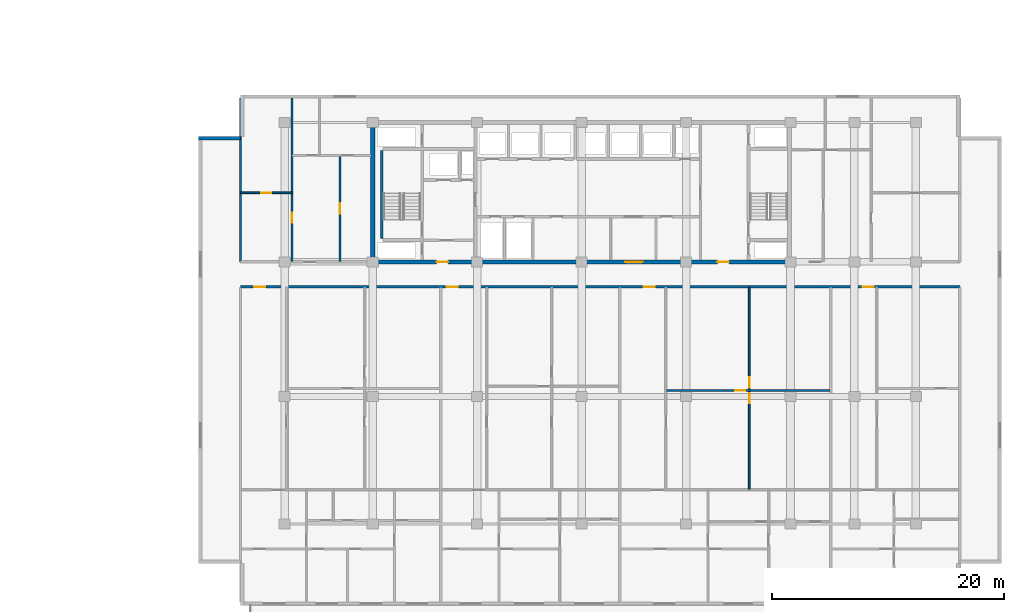
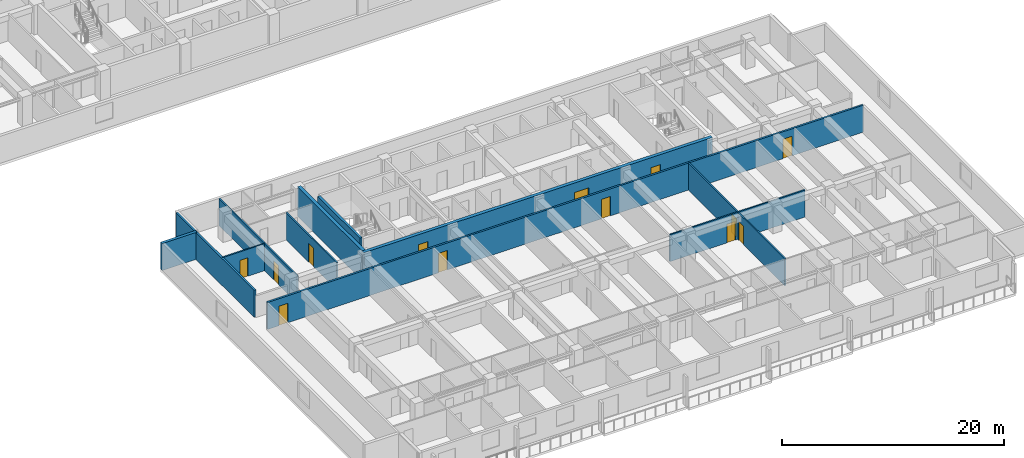
# One storey, part 6 of 24: 13 doors, 11 walls, 13 openings.
"""IFC4 building model written with IfcOpenShell, lengths in metres."""

import ifcopenshell
import ifcopenshell.guid

model = None  # the IFC model being written
_history = None  # IfcOwnerHistory: only IFC2X3 demands one
_inside = {}  # id of a spatial element -> (the spatial element, [elements in it])
_under = {}  # id of a project, library or spatial element -> (it, [spatial elements below it])
_declared = {}  # id of a project -> (the project, [libraries it declares])
_typed = {}  # id of a type object -> (the type object, [elements of that type])
_made_of = {}  # id of a material, layer set ... -> (it, [elements and type objects made of it])


def new_model(schema):
    """Start an empty IFC model of exactly this schema.

    Asked for "IFC4X3", IfcOpenShell would pick the latest addendum, in which some entities
    have other attributes; the version numbers below select the first issue.
    IFC2X3 requires an IfcOwnerHistory on every rooted entity: one is made here for all.
    """
    global model, _history
    if schema == "IFC4X3":
        model = ifcopenshell.file(schema_version=(4, 3, 0, 0))
    else:
        model = ifcopenshell.file(schema=schema)
    _inside.clear()
    _under.clear()
    _declared.clear()
    _typed.clear()
    _made_of.clear()
    _history = None
    if model.schema == "IFC2X3":
        org = make("IfcOrganization", Name="unknown")
        user = make(
            "IfcPersonAndOrganization",
            ThePerson=make("IfcPerson", FamilyName="unknown"),
            TheOrganization=org,
        )
        app = make(
            "IfcApplication",
            ApplicationDeveloper=org,
            Version="unknown",
            ApplicationFullName="unknown",
            ApplicationIdentifier="unknown",
        )
        _history = make(
            "IfcOwnerHistory",
            OwningUser=user,
            OwningApplication=app,
            ChangeAction="ADDED",
            CreationDate=0,
        )
    return model


def make(cls, **values):
    """One entity of the class cls with the attributes given. An attribute that is None is left unset."""
    return model.create_entity(
        cls, **{name: value for name, value in values.items() if value is not None}
    )


def rooted(cls, **values):
    """An entity with a GlobalId (a new one), such as an element, a storey or a relation."""
    return make(cls, GlobalId=ifcopenshell.guid.new(), OwnerHistory=_history, **values)


def si_unit(unit_type, name, prefix=None):
    """IfcSIUnit, for example si_unit("LENGTHUNIT", "METRE", prefix="MILLI")."""
    return make("IfcSIUnit", UnitType=unit_type, Prefix=prefix, Name=name)


def assignment(units):
    """IfcUnitAssignment: the units of a project."""
    return None if units is None else make("IfcUnitAssignment", Units=units)


def point(xyz):
    """IfcCartesianPoint."""
    return None if xyz is None else make("IfcCartesianPoint", Coordinates=xyz)


def direction(xyz):
    """IfcDirection."""
    return None if xyz is None else make("IfcDirection", DirectionRatios=xyz)


def frame(location, z_axis=None, x_axis=None):
    """IfcAxis2Placement3D, a coordinate frame: its origin and axes. An axis left out is left unset."""
    return make(
        "IfcAxis2Placement3D",
        Location=point(location),
        Axis=direction(z_axis),
        RefDirection=direction(x_axis),
    )


def frame_2d(location, x_axis=None):
    """IfcAxis2Placement2D, a coordinate frame in the plane: its origin and x axis."""
    return make(
        "IfcAxis2Placement2D", Location=point(location), RefDirection=direction(x_axis)
    )


def origin():
    """The frame at (0, 0, 0) with its axes left unset."""
    return frame((0.0, 0.0, 0.0))


def place(relative_to, where):
    """IfcLocalPlacement: puts the frame where relative to a parent placement (None: the world)."""
    return make(
        "IfcLocalPlacement", PlacementRelTo=relative_to, RelativePlacement=where
    )


def context(
    kind, dimensions, precision=None, world=None, true_north=None, identifier=None
):
    """IfcGeometricRepresentationContext, for example the 3D "Model" context."""
    return make(
        "IfcGeometricRepresentationContext",
        ContextIdentifier=identifier,
        ContextType=kind,
        CoordinateSpaceDimension=dimensions,
        Precision=precision,
        WorldCoordinateSystem=world,
        TrueNorth=true_north,
    )


def subcontext(parent, identifier, kind, view, scale=None):
    """IfcGeometricRepresentationSubContext, for example "Body" below "Model"."""
    return make(
        "IfcGeometricRepresentationSubContext",
        ContextIdentifier=identifier,
        ContextType=kind,
        ParentContext=parent,
        TargetScale=scale,
        TargetView=view,
    )


def project(units=None, contexts=None):
    """IfcProject with its units and contexts."""
    return rooted(
        "IfcProject",
        Name="project",
        RepresentationContexts=contexts,
        UnitsInContext=assignment(units),
    )


def spatial(cls, under=None, at=None, **own):
    """A site, building, storey or space (cls), placed at a placement, below another one or the project."""
    s = rooted(cls, ObjectPlacement=at, **own)
    if under is not None:
        _under.setdefault(under.id(), (under, []))[1].append(s)
    return s


def profile(cls, at=None, kind="AREA", **sizes):
    """A parametric profile (cls). Its sizes go by their IFC names, for example OverallWidth=200.0."""
    return make(cls, ProfileType=kind, Position=at, **sizes)


def rectangle(**sizes):
    """IfcRectangleProfileDef."""
    return profile("IfcRectangleProfileDef", **sizes)


def extrude(swept, where, along, depth):
    """IfcExtrudedAreaSolid: the profile swept, set in the frame where, extruded along a direction by depth."""
    return make(
        "IfcExtrudedAreaSolid",
        SweptArea=swept,
        Position=where,
        ExtrudedDirection=direction(along),
        Depth=depth,
    )


def shape(context_of_items, identifier, shape_type, items):
    """IfcShapeRepresentation: the items that make up one representation, for example the "Body"."""
    return make(
        "IfcShapeRepresentation",
        ContextOfItems=context_of_items,
        RepresentationIdentifier=identifier,
        RepresentationType=shape_type,
        Items=items,
    )


def material(Name=None, Category=None):
    """IfcMaterial."""
    return make("IfcMaterial", Name=Name, Category=Category)


def layer(
    of_material, thickness, ventilated=None, Name=None, Category=None, Priority=None
):
    """IfcMaterialLayer: one layer of a wall or slab, of a material (None: an air gap)."""
    return make(
        "IfcMaterialLayer",
        Material=of_material,
        LayerThickness=thickness,
        IsVentilated=ventilated,
        Name=Name,
        Category=Category,
        Priority=Priority,
    )


def layer_set(layers, Name=None):
    """IfcMaterialLayerSet."""
    return make("IfcMaterialLayerSet", MaterialLayers=layers, LayerSetName=Name)


def made_of(thing, what):
    """Note that an element or type object is made of a material, layer set ...; save() writes the relation."""
    if what is not None:
        _made_of.setdefault(what.id(), (what, []))[1].append(thing)
    return thing


def type_object(cls, material=None, **own):
    """A type object (cls), such as IfcWallType, which elements share."""
    return made_of(rooted(cls, **own), material)


def element(
    cls,
    number,
    at=None,
    inside=None,
    cuts=None,
    type_object=None,
    material=None,
    context=None,
    identifier="Body",
    shape_type=None,
    held_by="IfcProductDefinitionShape",
    body=None,
    shapes=None,
    **own,
):
    """One element of the class cls, such as IfcWall. Its Tag is "e" and its number.

    at: its placement. inside: the storey or other place that contains it. cuts: it is an
    opening in that element (IfcRelVoidsElement). A single representation is given by context,
    identifier, shape_type and body (its items); several are given by shapes. held_by: the class
    of the entity that holds the representations. save() writes the other relations.
    """
    e = rooted(cls, Tag="e%d" % number, ObjectPlacement=at, **own)
    if body is not None:
        shapes = [shape(context, identifier, shape_type, body)]
    if shapes is not None:
        e.Representation = make(held_by, Representations=shapes)
    if inside is not None:
        _inside.setdefault(inside.id(), (inside, []))[1].append(e)
    if cuts is not None:
        rooted(
            "IfcRelVoidsElement", RelatingBuildingElement=cuts, RelatedOpeningElement=e
        )
    if type_object is not None:
        _typed.setdefault(type_object.id(), (type_object, []))[1].append(e)
    return made_of(e, material)


def fill(opening, filler):
    """IfcRelFillsElement: the door or window that sits in an opening."""
    return rooted(
        "IfcRelFillsElement",
        RelatingOpeningElement=opening,
        RelatedBuildingElement=filler,
    )


def aggregate(whole, parts):
    """IfcRelAggregates: a whole, such as a stair, and the parts it consists of."""
    return rooted("IfcRelAggregates", RelatingObject=whole, RelatedObjects=parts)


def save(model, path):
    """Write the relations noted so far, then the file.

    IfcRelAggregates (storeys below a building ...), IfcRelContainedInSpatialStructure (elements
    in a storey), IfcRelDefinesByType, IfcRelAssociatesMaterial and IfcRelDeclares: one each for
    every whole, place, type object, material and project.
    """
    for whole, parts in _under.values():
        aggregate(whole, parts)
    for where, things in _inside.values():
        rooted(
            "IfcRelContainedInSpatialStructure",
            RelatedElements=things,
            RelatingStructure=where,
        )
    for kind, things in _typed.values():
        rooted("IfcRelDefinesByType", RelatedObjects=things, RelatingType=kind)
    for what, things in _made_of.values():
        rooted("IfcRelAssociatesMaterial", RelatedObjects=things, RelatingMaterial=what)
    for by, libraries in _declared.values():
        rooted("IfcRelDeclares", RelatingContext=by, RelatedDefinitions=libraries)
    model.write(path)


model = new_model("IFC4")

# Units and contexts
model_context = context("Model", 3, precision=1e-05, world=origin(), true_north=direction((0.0, 1.0)))
body_context = subcontext(model_context, "Body", "Model", "MODEL_VIEW")
ifc_project = project(units=[si_unit("LENGTHUNIT", "METRE"), si_unit("AREAUNIT", "SQUARE_METRE"), si_unit("VOLUMEUNIT", "CUBIC_METRE"), si_unit("PLANEANGLEUNIT", "RADIAN"), si_unit("MASSUNIT", "GRAM", prefix="KILO")], contexts=[model_context])

# Site, building, storey
site_placement = place(None, origin())
site = spatial("IfcSite", under=ifc_project, at=site_placement, CompositionType="ELEMENT")
building_placement = place(site_placement, origin())
building = spatial("IfcBuilding", under=site, at=building_placement, Name="Korimba Cascade Residences", CompositionType="ELEMENT")
storey_placement = place(building_placement, frame((0.0, 0.0, 43.5)))
storey = spatial("IfcBuildingStorey", under=building, at=storey_placement, Name="L11", CompositionType="ELEMENT", Elevation=43.5)

# Walls
ifc_material_1 = material(Name="Precast concrete C40/50", Category="concrete")
ifc_layer_1 = layer(ifc_material_1, 0.300048828125)
ifc_layer_set_1 = layer_set([ifc_layer_1], Name="Precast concrete C40/50")
wall_type_1 = type_object("IfcWallType", Name="EW-STONE-300", PredefinedType="STANDARD", material=ifc_layer_set_1)
wall_1_placement = place(storey_placement, frame((70.699951171875, 29.050048828125, 0.0), z_axis=(0.0, 0.0, 1.0), x_axis=(-1.0, 0.0, 0.0)))
element("IfcWall", 1, at=wall_1_placement, inside=storey, type_object=wall_type_1, Name="L11 T2 Perimeter Stone Wall E08", PredefinedType="STANDARD", context=body_context, shape_type="SweptSolid", body=[
    extrude(rectangle(XDim=3.599853515625, YDim=0.300048828125, at=frame_2d((1.7998046875, 0.0))), origin(), (0.0, 0.0, 1.0), 2.969970703125),
])
ifc_material_2 = material(Name="Concrete C65/80", Category="concrete")
ifc_layer_2 = layer(ifc_material_2, 0.35009765625)
ifc_layer_set_2 = layer_set([ifc_layer_2], Name="Concrete C65/80")
wall_type_2 = type_object("IfcWallType", Name="WAL-CORE-350", PredefinedType="SHEAR", material=ifc_layer_set_2)
wall_2_placement = place(storey_placement, frame((82.10009765625, 18.574951171875, 0.0), z_axis=(0.0, 0.0, 1.0), x_axis=(0.0, 1.0, 0.0)))
element("IfcWall", 2, at=wall_2_placement, inside=storey, type_object=wall_type_2, Name="L11 Core Shear Wall CW-L11-T2-W", PredefinedType="SHEAR", context=body_context, shape_type="SweptSolid", body=[
    extrude(rectangle(XDim=11.650146484375, YDim=0.35009765625, at=frame_2d((5.8251953125, 0.0))), origin(), (0.0, 0.0, 1.0), 3.25),
])

# Wall, openings, doors
wall_3_placement = place(storey_placement, frame((81.925048828125, 18.39990234375, 0.0), z_axis=(0.0, 0.0, 1.0), x_axis=(1.0, 0.0, 0.0)))
wall_3 = element("IfcWall", 3, at=wall_3_placement, inside=storey, type_object=wall_type_2, Name="L11 Core Shear Wall CW-L11-T2-S", PredefinedType="SHEAR", context=body_context, shape_type="SweptSolid", body=[
    extrude(rectangle(XDim=36.264892578125, YDim=0.35009765625, at=frame_2d((18.13232421875, 0.0))), origin(), (0.0, 0.0, 1.0), 3.25),
])
opening_1_placement = place(wall_3_placement, frame((5.675048828125, 0.0, 0.0)))
opening_1 = element("IfcOpeningElement", 4, at=opening_1_placement, cuts=wall_3, Name="Opening D-FD5", PredefinedType="OPENING", context=body_context, shape_type="SweptSolid", body=[
    extrude(rectangle(XDim=1.0, YDim=2.14990234375, at=frame_2d((0.5, 1.074951171875))), frame((0.0, 0.18505859375, 0.0), z_axis=(0.0, -1.0, 0.0), x_axis=(1.0, 0.0, 0.0)), (0.0, 0.0, 1.0), 0.3701171875),
])
opening_2_placement = place(wall_3_placement, frame((21.925048828125, 0.0, 0.0)))
opening_2 = element("IfcOpeningElement", 5, at=opening_2_placement, cuts=wall_3, Name="Opening D-FD8", PredefinedType="OPENING", context=body_context, shape_type="SweptSolid", body=[
    extrude(rectangle(XDim=1.5, YDim=2.199951171875, at=frame_2d((0.75, 1.10009765625))), frame((0.0, 0.18505859375, 0.0), z_axis=(0.0, -1.0, 0.0), x_axis=(1.0, 0.0, 0.0)), (0.0, 0.0, 1.0), 0.3701171875),
])
opening_3_placement = place(wall_3_placement, frame((29.875, 0.0, 0.0)))
opening_3 = element("IfcOpeningElement", 6, at=opening_3_placement, cuts=wall_3, Name="Opening D-FD5", PredefinedType="OPENING", context=body_context, shape_type="SweptSolid", body=[
    extrude(rectangle(XDim=1.0, YDim=2.14990234375, at=frame_2d((0.5, 1.074951171875))), frame((0.0, 0.18505859375, 0.0), z_axis=(0.0, -1.0, 0.0), x_axis=(1.0, 0.0, 0.0)), (0.0, 0.0, 1.0), 0.3701171875),
])
ifc_material_3 = material(Name="Fire-Rated Acoustic Timber Vestibule Door", Category="wood")
door_type_1 = type_object("IfcDoorType", Name="DR-FD90-1000", OperationType="NOTDEFINED", PredefinedType="DOOR", material=ifc_material_3)
door_1_placement = place(opening_1_placement, origin())
door_1 = element("IfcDoor", 7, at=door_1_placement, inside=storey, type_object=door_type_1, Name="L11 T2 West Core Vestibule Fire Door", OperationType="SINGLE_SWING_LEFT", OverallHeight=2.14990234375, OverallWidth=1.0, PredefinedType="DOOR", context=body_context, shape_type="SweptSolid", body=[
    extrude(rectangle(XDim=1.0, YDim=2.14990234375, at=frame_2d((0.5, 1.074951171875))), frame((0.0, 0.02490234375, 0.0), z_axis=(0.0, -1.0, 0.0), x_axis=(1.0, 0.0, 0.0)), (0.0, 0.0, 1.0), 0.050048828125),
])
fill(opening_1, door_1)
door_2_placement = place(opening_3_placement, origin())
door_2 = element("IfcDoor", 8, at=door_2_placement, inside=storey, type_object=door_type_1, Name="L11 T2 East Stair Vestibule Fire Door", OperationType="SINGLE_SWING_RIGHT", OverallHeight=2.14990234375, OverallWidth=1.0, PredefinedType="DOOR", context=body_context, shape_type="SweptSolid", body=[
    extrude(rectangle(XDim=1.0, YDim=2.14990234375, at=frame_2d((0.5, 1.074951171875))), frame((0.0, 0.02490234375, 0.0), z_axis=(0.0, -1.0, 0.0), x_axis=(1.0, 0.0, 0.0)), (0.0, 0.0, 1.0), 0.050048828125),
])
fill(opening_3, door_2)
ifc_material_4 = material(Name="Fire-Rated Glazed Lift Lobby Double Door", Category="glass")
door_type_2 = type_object("IfcDoorType", Name="DR-FD90-1500", OperationType="NOTDEFINED", PredefinedType="DOOR", material=ifc_material_4)
door_3_placement = place(opening_2_placement, origin())
door_3 = element("IfcDoor", 9, at=door_3_placement, inside=storey, type_object=door_type_2, Name="L11 T2 Lift Lobby Fire Door", OperationType="DOUBLE_DOOR_SINGLE_SWING", OverallHeight=2.199951171875, OverallWidth=1.5, PredefinedType="DOOR", context=body_context, shape_type="SweptSolid", body=[
    extrude(rectangle(XDim=1.5, YDim=2.199951171875, at=frame_2d((0.75, 1.10009765625))), frame((0.0, 0.02490234375, 0.0), z_axis=(0.0, -1.0, 0.0), x_axis=(1.0, 0.0, 0.0)), (0.0, 0.0, 1.0), 0.050048828125),
])
fill(opening_2, door_3)

# Wall
ifc_layer_3 = layer(ifc_material_1, 0.199951171875)
ifc_layer_set_3 = layer_set([ifc_layer_3], Name="Precast concrete C40/50")
wall_type_3 = type_object("IfcWallType", Name="WAL-IT-200", PredefinedType="PARTITIONING", material=ifc_layer_set_3)
wall_4_placement = place(storey_placement, frame((70.699951171875, 18.39990234375, 0.0), z_axis=(0.0, 0.0, 1.0), x_axis=(0.0, 1.0, 0.0)))
element("IfcWall", 10, at=wall_4_placement, inside=storey, type_object=wall_type_3, Name="L11 Partition Wall WAL-L11-T2-FW-WL", PredefinedType="PARTITIONING", context=body_context, shape_type="SweptSolid", body=[
    extrude(rectangle(XDim=14.10009765625, YDim=0.199951171875, at=frame_2d((7.050048828125, 0.0))), origin(), (0.0, 0.0, 1.0), 2.969970703125),
])

# Wall, openings, doors
wall_5_placement = place(storey_placement, frame((70.699951171875, 16.25, 0.0), z_axis=(0.0, 0.0, 1.0), x_axis=(1.0, 0.0, 0.0)))
wall_5 = element("IfcWall", 11, at=wall_5_placement, inside=storey, type_object=wall_type_3, Name="L11 Partition Wall WAL-L11-T2-CORS", PredefinedType="PARTITIONING", context=body_context, shape_type="SweptSolid", body=[
    extrude(rectangle(XDim=62.0, YDim=0.199951171875, at=frame_2d((31.0, 0.0))), origin(), (0.0, 0.0, 1.0), 2.969970703125),
])
opening_4_placement = place(wall_5_placement, frame((1.18603515625, 0.0, 0.0)))
opening_4 = element("IfcOpeningElement", 12, at=opening_4_placement, cuts=wall_5, Name="Opening D-UN1", PredefinedType="OPENING", context=body_context, shape_type="SweptSolid", body=[
    extrude(rectangle(XDim=0.949951171875, YDim=2.14990234375, at=frame_2d((0.47509765625, 1.074951171875))), frame((0.0, 0.10986328125, 0.0), z_axis=(0.0, -1.0, 0.0), x_axis=(1.0, 0.0, 0.0)), (0.0, 0.0, 1.0), 0.219970703125),
])
opening_5_placement = place(wall_5_placement, frame((17.770751953125, 0.0, 0.0)))
opening_5 = element("IfcOpeningElement", 13, at=opening_5_placement, cuts=wall_5, Name="Opening D-UN1", PredefinedType="OPENING", context=body_context, shape_type="SweptSolid", body=[
    extrude(rectangle(XDim=0.949951171875, YDim=2.14990234375, at=frame_2d((0.47509765625, 1.074951171875))), frame((0.0, 0.10986328125, 0.0), z_axis=(0.0, -1.0, 0.0), x_axis=(1.0, 0.0, 0.0)), (0.0, 0.0, 1.0), 0.219970703125),
])
opening_6_placement = place(wall_5_placement, frame((34.73291015625, 0.0, 0.0)))
opening_6 = element("IfcOpeningElement", 14, at=opening_6_placement, cuts=wall_5, Name="Opening D-UN1", PredefinedType="OPENING", context=body_context, shape_type="SweptSolid", body=[
    extrude(rectangle(XDim=0.949951171875, YDim=2.14990234375, at=frame_2d((0.47509765625, 1.074951171875))), frame((0.0, 0.10986328125, 0.0), z_axis=(0.0, -1.0, 0.0), x_axis=(1.0, 0.0, 0.0)), (0.0, 0.0, 1.0), 0.219970703125),
])
opening_7_placement = place(wall_5_placement, frame((53.64013671875, 0.0, 0.0)))
opening_7 = element("IfcOpeningElement", 15, at=opening_7_placement, cuts=wall_5, Name="Opening D-UN1", PredefinedType="OPENING", context=body_context, shape_type="SweptSolid", body=[
    extrude(rectangle(XDim=0.949951171875, YDim=2.14990234375, at=frame_2d((0.47509765625, 1.074951171875))), frame((0.0, 0.10986328125, 0.0), z_axis=(0.0, -1.0, 0.0), x_axis=(1.0, 0.0, 0.0)), (0.0, 0.0, 1.0), 0.219970703125),
])
ifc_material_5 = material(Name="Fire-Rated Hardwood Apartment Entrance Door", Category="wood")
door_type_3 = type_object("IfcDoorType", Name="DR-FD60-950", OperationType="NOTDEFINED", PredefinedType="DOOR", material=ifc_material_5)
door_4_placement = place(opening_4_placement, origin())
door_4 = element("IfcDoor", 16, at=door_4_placement, inside=storey, type_object=door_type_3, Name="Unit L11-T2-U01 Entrance Door", OperationType="SINGLE_SWING_RIGHT", OverallHeight=2.14990234375, OverallWidth=0.949951171875, PredefinedType="DOOR", context=body_context, shape_type="SweptSolid", body=[
    extrude(rectangle(XDim=0.949951171875, YDim=2.14990234375, at=frame_2d((0.47509765625, 1.074951171875))), frame((0.0, 0.02490234375, 0.0), z_axis=(0.0, -1.0, 0.0), x_axis=(1.0, 0.0, 0.0)), (0.0, 0.0, 1.0), 0.050048828125),
])
fill(opening_4, door_4)
door_5_placement = place(opening_5_placement, origin())
door_5 = element("IfcDoor", 17, at=door_5_placement, inside=storey, type_object=door_type_3, Name="Unit L11-T2-U02 Entrance Door", OperationType="SINGLE_SWING_LEFT", OverallHeight=2.14990234375, OverallWidth=0.949951171875, PredefinedType="DOOR", context=body_context, shape_type="SweptSolid", body=[
    extrude(rectangle(XDim=0.949951171875, YDim=2.14990234375, at=frame_2d((0.47509765625, 1.074951171875))), frame((0.0, 0.02490234375, 0.0), z_axis=(0.0, -1.0, 0.0), x_axis=(1.0, 0.0, 0.0)), (0.0, 0.0, 1.0), 0.050048828125),
])
fill(opening_5, door_5)
door_6_placement = place(opening_6_placement, origin())
door_6 = element("IfcDoor", 18, at=door_6_placement, inside=storey, type_object=door_type_3, Name="Unit L11-T2-U03 Entrance Door", OperationType="SINGLE_SWING_RIGHT", OverallHeight=2.14990234375, OverallWidth=0.949951171875, PredefinedType="DOOR", context=body_context, shape_type="SweptSolid", body=[
    extrude(rectangle(XDim=0.949951171875, YDim=2.14990234375, at=frame_2d((0.47509765625, 1.074951171875))), frame((0.0, 0.02490234375, 0.0), z_axis=(0.0, -1.0, 0.0), x_axis=(1.0, 0.0, 0.0)), (0.0, 0.0, 1.0), 0.050048828125),
])
fill(opening_6, door_6)
door_7_placement = place(opening_7_placement, origin())
door_7 = element("IfcDoor", 19, at=door_7_placement, inside=storey, type_object=door_type_3, Name="Unit L11-T2-U04 Entrance Door", OperationType="SINGLE_SWING_LEFT", OverallHeight=2.14990234375, OverallWidth=0.949951171875, PredefinedType="DOOR", context=body_context, shape_type="SweptSolid", body=[
    extrude(rectangle(XDim=0.949951171875, YDim=2.14990234375, at=frame_2d((0.47509765625, 1.074951171875))), frame((0.0, 0.02490234375, 0.0), z_axis=(0.0, -1.0, 0.0), x_axis=(1.0, 0.0, 0.0)), (0.0, 0.0, 1.0), 0.050048828125),
])
fill(opening_7, door_7)

# Wall, opening, door
ifc_material_6 = material(Name="Insulated Acoustic Stud Partition", Category="gypsum")
ifc_layer_4 = layer(ifc_material_6, 0.14990234375)
ifc_layer_set_4 = layer_set([ifc_layer_4], Name="Insulated Acoustic Stud Partition")
wall_type_4 = type_object("IfcWallType", Name="WAL-PART-150", PredefinedType="PARTITIONING", material=ifc_layer_set_4)
wall_6_placement = place(storey_placement, frame((70.699951171875, 24.35009765625, 0.0), z_axis=(0.0, 0.0, 1.0), x_axis=(1.0, 0.0, 0.0)))
wall_6 = element("IfcWall", 20, at=wall_6_placement, inside=storey, type_object=wall_type_4, Name="L11 Partition Wall WAL-L11-T2-FW-STH", PredefinedType="PARTITIONING", context=body_context, shape_type="SweptSolid", body=[
    extrude(rectangle(XDim=4.449951171875, YDim=0.14990234375, at=frame_2d((2.22509765625, 0.0))), origin(), (0.0, 0.0, 1.0), 2.969970703125),
])
opening_8_placement = place(wall_6_placement, frame((1.804931640625, 0.0, 0.0)))
opening_8 = element("IfcOpeningElement", 21, at=opening_8_placement, cuts=wall_6, Name="Opening D-BT1", PredefinedType="OPENING", context=body_context, shape_type="SweptSolid", body=[
    extrude(rectangle(XDim=0.840087890625, YDim=2.0400390625, at=frame_2d((0.419921875, 1.02001953125))), frame((0.0, 0.0849609375, 0.0), z_axis=(0.0, -1.0, 0.0), x_axis=(1.0, 0.0, 0.0)), (0.0, 0.0, 1.0), 0.169921875),
])
ifc_material_7 = material(Name="Moisture-Resistant Bathroom Timber Door", Category="wood")
door_type_4 = type_object("IfcDoorType", Name="DR-INT-850", OperationType="NOTDEFINED", PredefinedType="DOOR", material=ifc_material_7)
door_8_placement = place(opening_8_placement, origin())
door_8 = element("IfcDoor", 22, at=door_8_placement, inside=storey, type_object=door_type_4, Name="L11-T2-FW Dressing Store Door", OperationType="SINGLE_SWING_RIGHT", OverallHeight=2.0400390625, OverallWidth=0.840087890625, PredefinedType="DOOR", context=body_context, shape_type="SweptSolid", body=[
    extrude(rectangle(XDim=0.840087890625, YDim=2.0400390625, at=frame_2d((0.419921875, 1.02001953125))), frame((0.0, 0.02490234375, 0.0), z_axis=(0.0, -1.0, 0.0), x_axis=(1.0, 0.0, 0.0)), (0.0, 0.0, 1.0), 0.050048828125),
])
fill(opening_8, door_8)

wall_7_placement = place(storey_placement, frame((75.14990234375, 18.449951171875, 0.0), z_axis=(0.0, 0.0, 1.0), x_axis=(0.0, 1.0, 0.0)))
wall_7 = element("IfcWall", 23, at=wall_7_placement, inside=storey, type_object=wall_type_4, Name="L11 Partition Wall WAL-L11-T2-FW-STV", PredefinedType="PARTITIONING", context=body_context, shape_type="SweptSolid", body=[
    extrude(rectangle(XDim=14.050048828125, YDim=0.14990234375, at=frame_2d((7.02490234375, 0.0))), origin(), (0.0, 0.0, 1.0), 2.969970703125),
])
opening_9_placement = place(wall_7_placement, frame((3.320068359375, 0.0, 0.0)))
opening_9 = element("IfcOpeningElement", 24, at=opening_9_placement, cuts=wall_7, Name="Opening D-IN2", PredefinedType="OPENING", context=body_context, shape_type="SweptSolid", body=[
    extrude(rectangle(XDim=0.8798828125, YDim=2.06005859375, at=frame_2d((0.43994140625, 1.030029296875))), frame((0.0, 0.0849609375, 0.0), z_axis=(0.0, -1.0, 0.0), x_axis=(1.0, 0.0, 0.0)), (0.0, 0.0, 1.0), 0.169921875),
])
ifc_material_8 = material(Name="Acoustic Timber Bedroom Door", Category="wood")
door_type_5 = type_object("IfcDoorType", Name="DR-INT-880", OperationType="NOTDEFINED", PredefinedType="DOOR", material=ifc_material_8)
door_9_placement = place(opening_9_placement, origin())
door_9 = element("IfcDoor", 25, at=door_9_placement, inside=storey, type_object=door_type_5, Name="L11-T2-FW Study Door", OperationType="SINGLE_SWING_LEFT", OverallHeight=2.06005859375, OverallWidth=0.8798828125, PredefinedType="DOOR", context=body_context, shape_type="SweptSolid", body=[
    extrude(rectangle(XDim=0.8798828125, YDim=2.06005859375, at=frame_2d((0.43994140625, 1.030029296875))), frame((0.0, 0.02490234375, 0.0), z_axis=(0.0, -1.0, 0.0), x_axis=(1.0, 0.0, 0.0)), (0.0, 0.0, 1.0), 0.050048828125),
])
fill(opening_9, door_9)

wall_8_placement = place(storey_placement, frame((79.27001953125, 18.449951171875, 0.0), z_axis=(0.0, 0.0, 1.0), x_axis=(0.0, 1.0, 0.0)))
wall_8 = element("IfcWall", 26, at=wall_8_placement, inside=storey, type_object=wall_type_4, Name="L11 Partition Wall WAL-L11-T2-FW-VS", PredefinedType="PARTITIONING", context=body_context, shape_type="SweptSolid", body=[
    extrude(rectangle(XDim=9.1201171875, YDim=0.14990234375, at=frame_2d((4.56005859375, 0.0))), origin(), (0.0, 0.0, 1.0), 2.969970703125),
])
opening_10_placement = place(wall_8_placement, frame((4.10009765625, 0.0, 0.0)))
opening_10 = element("IfcOpeningElement", 27, at=opening_10_placement, cuts=wall_8, Name="Opening D-IN1", PredefinedType="OPENING", context=body_context, shape_type="SweptSolid", body=[
    extrude(rectangle(XDim=0.919921875, YDim=2.080078125, at=frame_2d((0.4599609375, 1.0400390625))), frame((0.0, 0.0849609375, 0.0), z_axis=(0.0, -1.0, 0.0), x_axis=(1.0, 0.0, 0.0)), (0.0, 0.0, 1.0), 0.169921875),
])
ifc_material_9 = material(Name="Acoustic Timber Living Door", Category="wood")
door_type_6 = type_object("IfcDoorType", Name="DR-INT-920", OperationType="NOTDEFINED", PredefinedType="DOOR", material=ifc_material_9)
door_10_placement = place(opening_10_placement, origin())
door_10 = element("IfcDoor", 28, at=door_10_placement, inside=storey, type_object=door_type_6, Name="L11-T2-FW Living Door", OperationType="SINGLE_SWING_RIGHT", OverallHeight=2.080078125, OverallWidth=0.919921875, PredefinedType="DOOR", context=body_context, shape_type="SweptSolid", body=[
    extrude(rectangle(XDim=0.919921875, YDim=2.080078125, at=frame_2d((0.4599609375, 1.0400390625))), frame((0.0, 0.02490234375, 0.0), z_axis=(0.0, -1.0, 0.0), x_axis=(1.0, 0.0, 0.0)), (0.0, 0.0, 1.0), 0.050048828125),
])
fill(opening_10, door_10)

# Wall, openings, doors
wall_9_placement = place(storey_placement, frame((114.55419921875, -1.2099609375, 0.0), z_axis=(0.0, 0.0, 1.0), x_axis=(0.0, 1.0, 0.0)))
wall_9 = element("IfcWall", 29, at=wall_9_placement, inside=storey, type_object=wall_type_4, Name="L11 Partition Wall WAL-L11-T2-U03-FMV", PredefinedType="PARTITIONING", context=body_context, shape_type="SweptSolid", body=[
    extrude(rectangle(XDim=17.39990234375, YDim=0.14990234375, at=frame_2d((8.699951171875, 0.0))), origin(), (0.0, 0.0, 1.0), 2.969970703125),
])
opening_11_placement = place(wall_9_placement, frame((7.429931640625, 0.0, 0.0)))
opening_11 = element("IfcOpeningElement", 30, at=opening_11_placement, cuts=wall_9, Name="Opening D-BT1", PredefinedType="OPENING", context=body_context, shape_type="SweptSolid", body=[
    extrude(rectangle(XDim=0.840087890625, YDim=2.0400390625, at=frame_2d((0.419921875, 1.02001953125))), frame((0.0, 0.0849609375, 0.0), z_axis=(0.0, -1.0, 0.0), x_axis=(1.0, 0.0, 0.0)), (0.0, 0.0, 1.0), 0.169921875),
])
opening_12_placement = place(wall_9_placement, frame((8.77001953125, 0.0, 0.0)))
opening_12 = element("IfcOpeningElement", 31, at=opening_12_placement, cuts=wall_9, Name="Opening D-IN2", PredefinedType="OPENING", context=body_context, shape_type="SweptSolid", body=[
    extrude(rectangle(XDim=0.8798828125, YDim=2.06005859375, at=frame_2d((0.43994140625, 1.030029296875))), frame((0.0, 0.0849609375, 0.0), z_axis=(0.0, -1.0, 0.0), x_axis=(1.0, 0.0, 0.0)), (0.0, 0.0, 1.0), 0.169921875),
])
door_11_placement = place(opening_11_placement, origin())
door_11 = element("IfcDoor", 32, at=door_11_placement, inside=storey, type_object=door_type_4, Name="L11-T2-U03 Wardrobe Door", OperationType="SINGLE_SWING_RIGHT", OverallHeight=2.0400390625, OverallWidth=0.840087890625, PredefinedType="DOOR", context=body_context, shape_type="SweptSolid", body=[
    extrude(rectangle(XDim=0.840087890625, YDim=2.0400390625, at=frame_2d((0.419921875, 1.02001953125))), frame((0.0, 0.02490234375, 0.0), z_axis=(0.0, -1.0, 0.0), x_axis=(1.0, 0.0, 0.0)), (0.0, 0.0, 1.0), 0.050048828125),
])
fill(opening_11, door_11)
door_12_placement = place(opening_12_placement, origin())
door_12 = element("IfcDoor", 33, at=door_12_placement, inside=storey, type_object=door_type_5, Name="L11-T2-U03 Music Lounge Door", OperationType="SINGLE_SWING_LEFT", OverallHeight=2.06005859375, OverallWidth=0.8798828125, PredefinedType="DOOR", context=body_context, shape_type="SweptSolid", body=[
    extrude(rectangle(XDim=0.8798828125, YDim=2.06005859375, at=frame_2d((0.43994140625, 1.030029296875))), frame((0.0, 0.02490234375, 0.0), z_axis=(0.0, -1.0, 0.0), x_axis=(1.0, 0.0, 0.0)), (0.0, 0.0, 1.0), 0.050048828125),
])
fill(opening_12, door_12)

# Wall, opening, door
wall_10_placement = place(storey_placement, frame((107.41796875, 7.31005859375, 0.0), z_axis=(0.0, 0.0, 1.0), x_axis=(1.0, 0.0, 0.0)))
wall_10 = element("IfcWall", 34, at=wall_10_placement, inside=storey, type_object=wall_type_4, Name="L11 Partition Wall WAL-L11-T2-U03-FMH", PredefinedType="PARTITIONING", context=body_context, shape_type="SweptSolid", body=[
    extrude(rectangle(XDim=14.072021484375, YDim=0.14990234375, at=frame_2d((7.0361328125, 0.0))), origin(), (0.0, 0.0, 1.0), 2.969970703125),
])
opening_13_placement = place(wall_10_placement, frame((5.92236328125, 0.0, 0.0)))
opening_13 = element("IfcOpeningElement", 35, at=opening_13_placement, cuts=wall_10, Name="Opening D-IN2", PredefinedType="OPENING", context=body_context, shape_type="SweptSolid", body=[
    extrude(rectangle(XDim=0.8798828125, YDim=2.06005859375, at=frame_2d((0.43994140625, 1.030029296875))), frame((0.0, 0.0849609375, 0.0), z_axis=(0.0, -1.0, 0.0), x_axis=(1.0, 0.0, 0.0)), (0.0, 0.0, 1.0), 0.169921875),
])
door_13_placement = place(opening_13_placement, origin())
door_13 = element("IfcDoor", 36, at=door_13_placement, inside=storey, type_object=door_type_5, Name="L11-T2-U03 Library Salon Door", OperationType="SINGLE_SWING_RIGHT", OverallHeight=2.06005859375, OverallWidth=0.8798828125, PredefinedType="DOOR", context=body_context, shape_type="SweptSolid", body=[
    extrude(rectangle(XDim=0.8798828125, YDim=2.06005859375, at=frame_2d((0.43994140625, 1.030029296875))), frame((0.0, 0.02490234375, 0.0), z_axis=(0.0, -1.0, 0.0), x_axis=(1.0, 0.0, 0.0)), (0.0, 0.0, 1.0), 0.050048828125),
])
fill(opening_13, door_13)

# Wall
ifc_material_10 = material(Name="Concrete C50/60", Category="concrete")
ifc_layer_5 = layer(ifc_material_10, 0.25)
ifc_layer_set_5 = layer_set([ifc_layer_5], Name="Concrete C50/60")
wall_type_5 = type_object("IfcWallType", Name="WAL-SHAFT-250", PredefinedType="SHEAR", material=ifc_layer_set_5)
wall_11_placement = place(storey_placement, frame((82.875, 20.39990234375, 0.0), z_axis=(0.0, 0.0, 1.0), x_axis=(0.0, 1.0, 0.0)))
element("IfcWall", 37, at=wall_11_placement, inside=storey, type_object=wall_type_5, Name="L11 Core Shear Wall CW-L11-T2-STE1W", PredefinedType="SHEAR", context=body_context, shape_type="SweptSolid", body=[
    extrude(rectangle(XDim=7.60009765625, YDim=0.25, at=frame_2d((3.800048828125, 0.0))), origin(), (0.0, 0.0, 1.0), 3.25),
])

save(model, "model.ifc")
